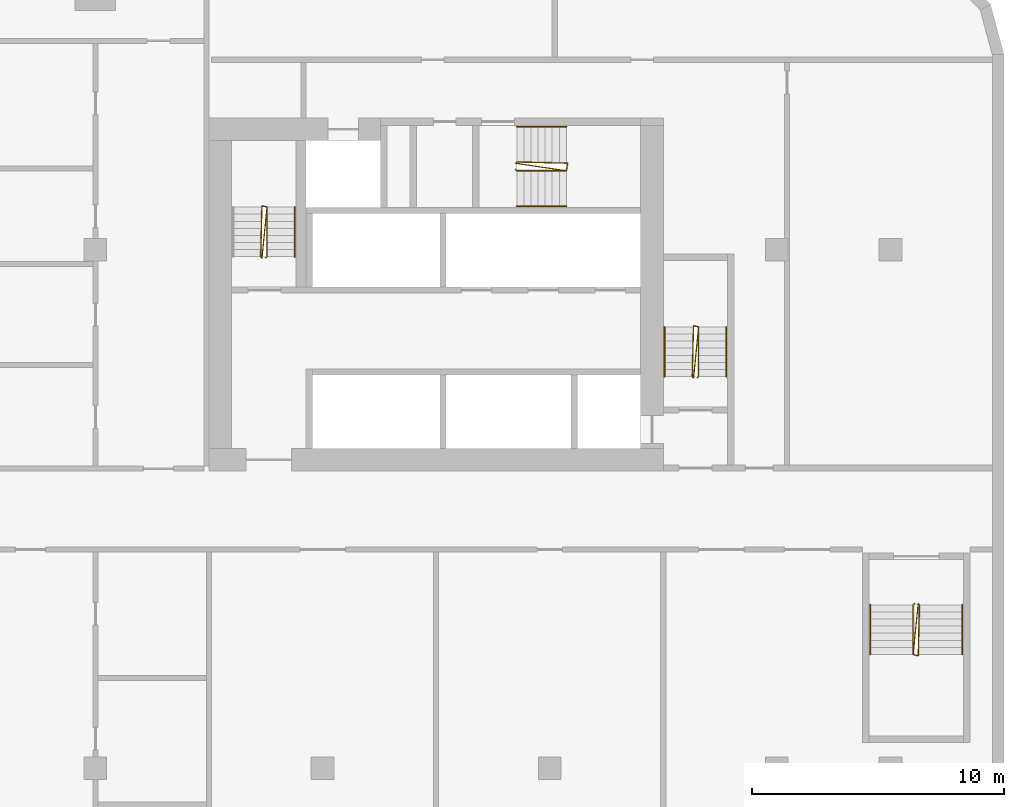
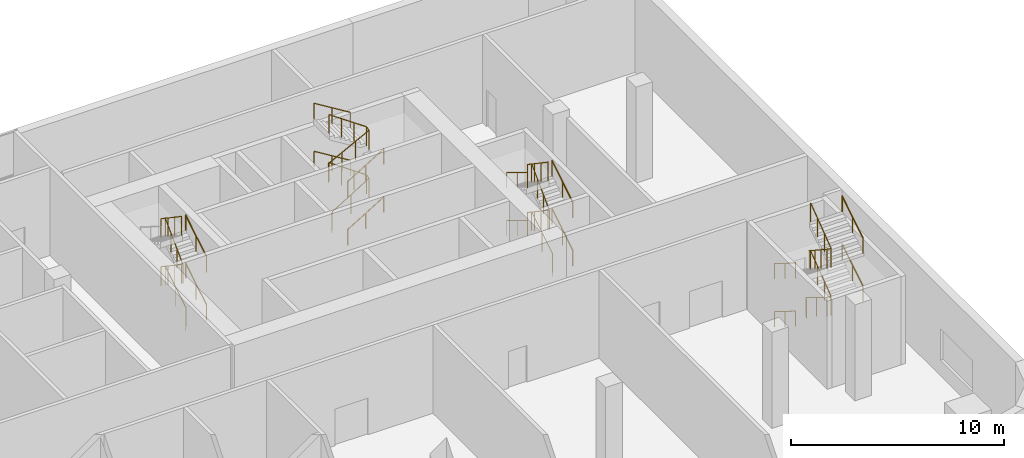
# One storey, part 21 of 21: 18 railings.
"""IFC4 building model written with IfcOpenShell, lengths in metres."""

from ifc_helpers import new_model, si_unit, direction, frame, origin, origin_2d, place, context, subcontext, project, spatial, circle, extrude, material, type_object, element, save


model = new_model("IFC4")

# Units and contexts
model_context = context("Model", 3, precision=1e-05, world=origin(), true_north=direction((0.0, 1.0)))
body_context = subcontext(model_context, "Body", "Model", "MODEL_VIEW")
ifc_project = project(units=[si_unit("LENGTHUNIT", "METRE"), si_unit("AREAUNIT", "SQUARE_METRE"), si_unit("VOLUMEUNIT", "CUBIC_METRE"), si_unit("PLANEANGLEUNIT", "RADIAN"), si_unit("MASSUNIT", "GRAM", prefix="KILO")], contexts=[model_context])

# Site, building, storey
site_placement = place(None, origin())
site = spatial("IfcSite", under=ifc_project, at=site_placement, CompositionType="ELEMENT")
building_placement = place(site_placement, origin())
building = spatial("IfcBuilding", under=site, at=building_placement, Name="Kajstack Hotel Tower", CompositionType="ELEMENT")
storey_placement = place(building_placement, frame((0.0, 0.0, 23.5)))
storey = spatial("IfcBuildingStorey", under=building, at=storey_placement, Name="L03", CompositionType="ELEMENT", Elevation=23.5)

# Railings
ifc_material = material(Name="Steel S355J2", Category="steel")
railing_type_1 = type_object("IfcRailingType", Name="Stair guard 1100", PredefinedType="GUARDRAIL", material=ifc_material)
railing_1_placement = place(storey_placement, frame((32.85009765625, 5.199951171875, 0.0)))
element("IfcRailing", 1, at=railing_1_placement, inside=storey, type_object=railing_type_1, Name="L03 E1 stair guard 1", PredefinedType="GUARDRAIL", context=body_context, shape_type="SweptSolid", body=[
    extrude(circle(Radius=0.02392578125, at=origin_2d()), frame((0.0, 0.0, 1.076171875), z_axis=(0.268036860282, 0.26935076646, 0.924989949209), x_axis=(-0.708833529934, 0.705375805398, 0.0)), (0.0, 0.0, 1.0), 0.185791015625),
    extrude(circle(Radius=0.02392578125, at=origin_2d()), frame((0.0498046875, 0.050048828125, 1.248046875), z_axis=(0.0, 0.852240978134, 0.523149419562), x_axis=(-1.0, 0.0, 0.0)), (0.0, 0.0, 1.0), 2.2998046875),
    extrude(circle(Radius=0.02392578125, at=origin_2d()), frame((0.0498046875, 2.010009765625, 2.451171875), z_axis=(-0.970072785993, 0.242814311512, 0.0), x_axis=(-0.242814311512, -0.970072785993, 0.0)), (0.0, 0.0, 1.0), 0.2060546875),
    extrude(circle(Radius=0.02392578125, at=origin_2d()), frame((-0.150146484375, 2.06005859375, 2.451171875), z_axis=(-0.0205469275, -0.825184654201, 0.564489247232), x_axis=(0.999690144217, -0.024892078169, 0.0)), (0.0, 0.0, 1.0), 2.435791015625),
    extrude(circle(Radius=0.02392578125, at=origin_2d()), frame((-0.2001953125, 0.050048828125, 3.826171875), z_axis=(0.707106781187, -0.707106781187, 0.0), x_axis=(0.707106781187, 0.707106781187, 0.0)), (0.0, 0.0, 1.0), 0.07080078125),
    extrude(circle(Radius=0.02392578125, at=origin_2d()), frame((-0.150146484375, 0.0, 3.826171875), z_axis=(0.081829463127, 0.822590927871, 0.562714940577), x_axis=(-0.995088514891, 0.098989128349, 0.0)), (0.0, 0.0, 1.0), 2.443603515625),
    extrude(circle(Radius=0.02392578125, at=origin_2d()), frame((0.0498046875, 2.010009765625, 5.201171875), z_axis=(-0.970072785993, 0.242814311512, 0.0), x_axis=(-0.242814311512, -0.970072785993, 0.0)), (0.0, 0.0, 1.0), 0.2060546875),
    extrude(circle(Radius=0.02392578125, at=origin_2d()), frame((-0.150146484375, 2.06005859375, 5.201171875), z_axis=(-0.0205469275, -0.825184654201, 0.564489247232), x_axis=(0.999690144217, -0.024892078169, 0.0)), (0.0, 0.0, 1.0), 2.435791015625),
    extrude(circle(Radius=0.02099609375, at=origin_2d()), origin(), (0.0, 0.0, 1.0), 1.052001953125),
    extrude(circle(Radius=0.02099609375, at=origin_2d()), frame((0.0498046875, 0.050048828125, 0.171875)), (0.0, 0.0, 1.0), 1.052001953125),
    extrude(circle(Radius=0.02099609375, at=origin_2d()), frame((0.0498046875, 1.030029296875, 0.7734375)), (0.0, 0.0, 1.0), 1.052001953125),
    extrude(circle(Radius=0.02099609375, at=origin_2d()), frame((0.0498046875, 2.010009765625, 1.375)), (0.0, 0.0, 1.0), 1.052001953125),
    extrude(circle(Radius=0.02099609375, at=origin_2d()), frame((-0.150146484375, 2.06005859375, 1.375)), (0.0, 0.0, 1.0), 1.052001953125),
    extrude(circle(Radius=0.02099609375, at=origin_2d()), frame((-0.166748046875, 1.39013671875, 1.833251953125)), (0.0, 0.0, 1.0), 1.052001953125),
    extrude(circle(Radius=0.02099609375, at=origin_2d()), frame((-0.18359375, 0.719970703125, 2.291748046875)), (0.0, 0.0, 1.0), 1.052001953125),
    extrude(circle(Radius=0.02099609375, at=origin_2d()), frame((-0.2001953125, 0.050048828125, 2.75)), (0.0, 0.0, 1.0), 1.052001953125),
    extrude(circle(Radius=0.02099609375, at=origin_2d()), frame((-0.150146484375, 0.0, 2.75)), (0.0, 0.0, 1.0), 1.052001953125),
    extrude(circle(Radius=0.02099609375, at=origin_2d()), frame((-0.08349609375, 0.669921875, 3.208251953125)), (0.0, 0.0, 1.0), 1.052001953125),
    extrude(circle(Radius=0.02099609375, at=origin_2d()), frame((-0.016845703125, 1.340087890625, 3.666748046875)), (0.0, 0.0, 1.0), 1.052001953125),
    extrude(circle(Radius=0.02099609375, at=origin_2d()), frame((0.0498046875, 2.010009765625, 4.125)), (0.0, 0.0, 1.0), 1.052001953125),
    extrude(circle(Radius=0.02099609375, at=origin_2d()), frame((-0.150146484375, 2.06005859375, 4.125)), (0.0, 0.0, 1.0), 1.052001953125),
    extrude(circle(Radius=0.02099609375, at=origin_2d()), frame((-0.166748046875, 1.39013671875, 4.583251953125)), (0.0, 0.0, 1.0), 1.052001953125),
    extrude(circle(Radius=0.02099609375, at=origin_2d()), frame((-0.18359375, 0.719970703125, 5.041748046875)), (0.0, 0.0, 1.0), 1.052001953125),
    extrude(circle(Radius=0.02099609375, at=origin_2d()), frame((-0.2001953125, 0.050048828125, 5.5)), (0.0, 0.0, 1.0), 1.052001953125),
])
railing_2_placement = place(storey_placement, frame((15.75, 9.949951171875, 0.0)))
element("IfcRailing", 2, at=railing_2_placement, inside=storey, type_object=railing_type_1, Name="L03 E2 stair guard 1", PredefinedType="GUARDRAIL", context=body_context, shape_type="SweptSolid", body=[
    extrude(circle(Radius=0.02392578125, at=origin_2d()), frame((0.0, 0.0, 1.076171875), z_axis=(0.269255725606, 0.269255725606, 0.92466356501), x_axis=(-0.707106781187, 0.707106781187, 0.0)), (0.0, 0.0, 1.0), 0.185791015625),
    extrude(circle(Radius=0.02392578125, at=origin_2d()), frame((0.050048828125, 0.050048828125, 1.248046875), z_axis=(0.0, 0.852240978134, 0.523149419562), x_axis=(-1.0, 0.0, 0.0)), (0.0, 0.0, 1.0), 2.2998046875),
    extrude(circle(Radius=0.02392578125, at=origin_2d()), frame((0.050048828125, 2.010009765625, 2.451171875), z_axis=(-0.970072785993, 0.242814311512, 0.0), x_axis=(-0.242814311512, -0.970072785993, 0.0)), (0.0, 0.0, 1.0), 0.2060546875),
    extrude(circle(Radius=0.02392578125, at=origin_2d()), frame((-0.14990234375, 2.06005859375, 2.451171875), z_axis=(-0.0205469275, -0.825184654201, 0.564489247232), x_axis=(0.999690144217, -0.024892078169, 0.0)), (0.0, 0.0, 1.0), 2.435791015625),
    extrude(circle(Radius=0.02392578125, at=origin_2d()), frame((-0.199951171875, 0.050048828125, 3.826171875), z_axis=(0.707106781187, -0.707106781187, 0.0), x_axis=(0.707106781187, 0.707106781187, 0.0)), (0.0, 0.0, 1.0), 0.07080078125),
    extrude(circle(Radius=0.02392578125, at=origin_2d()), frame((-0.14990234375, 0.0, 3.826171875), z_axis=(0.081829463127, 0.822590927871, 0.562714940577), x_axis=(-0.995088514891, 0.098989128349, 0.0)), (0.0, 0.0, 1.0), 2.443603515625),
    extrude(circle(Radius=0.02392578125, at=origin_2d()), frame((0.050048828125, 2.010009765625, 5.201171875), z_axis=(-0.970072785993, 0.242814311512, 0.0), x_axis=(-0.242814311512, -0.970072785993, 0.0)), (0.0, 0.0, 1.0), 0.2060546875),
    extrude(circle(Radius=0.02392578125, at=origin_2d()), frame((-0.14990234375, 2.06005859375, 5.201171875), z_axis=(-0.0205469275, -0.825184654201, 0.564489247232), x_axis=(0.999690144217, -0.024892078169, 0.0)), (0.0, 0.0, 1.0), 2.435791015625),
    extrude(circle(Radius=0.02099609375, at=origin_2d()), origin(), (0.0, 0.0, 1.0), 1.052001953125),
    extrude(circle(Radius=0.02099609375, at=origin_2d()), frame((0.050048828125, 0.050048828125, 0.171875)), (0.0, 0.0, 1.0), 1.052001953125),
    extrude(circle(Radius=0.02099609375, at=origin_2d()), frame((0.050048828125, 1.030029296875, 0.7734375)), (0.0, 0.0, 1.0), 1.052001953125),
    extrude(circle(Radius=0.02099609375, at=origin_2d()), frame((0.050048828125, 2.010009765625, 1.375)), (0.0, 0.0, 1.0), 1.052001953125),
    extrude(circle(Radius=0.02099609375, at=origin_2d()), frame((-0.14990234375, 2.06005859375, 1.375)), (0.0, 0.0, 1.0), 1.052001953125),
    extrude(circle(Radius=0.02099609375, at=origin_2d()), frame((-0.16650390625, 1.39013671875, 1.833251953125)), (0.0, 0.0, 1.0), 1.052001953125),
    extrude(circle(Radius=0.02099609375, at=origin_2d()), frame((-0.183349609375, 0.719970703125, 2.291748046875)), (0.0, 0.0, 1.0), 1.052001953125),
    extrude(circle(Radius=0.02099609375, at=origin_2d()), frame((-0.199951171875, 0.050048828125, 2.75)), (0.0, 0.0, 1.0), 1.052001953125),
    extrude(circle(Radius=0.02099609375, at=origin_2d()), frame((-0.14990234375, 0.0, 2.75)), (0.0, 0.0, 1.0), 1.052001953125),
    extrude(circle(Radius=0.02099609375, at=origin_2d()), frame((-0.083251953125, 0.669921875, 3.208251953125)), (0.0, 0.0, 1.0), 1.052001953125),
    extrude(circle(Radius=0.02099609375, at=origin_2d()), frame((-0.0166015625, 1.340087890625, 3.666748046875)), (0.0, 0.0, 1.0), 1.052001953125),
    extrude(circle(Radius=0.02099609375, at=origin_2d()), frame((0.050048828125, 2.010009765625, 4.125)), (0.0, 0.0, 1.0), 1.052001953125),
    extrude(circle(Radius=0.02099609375, at=origin_2d()), frame((-0.14990234375, 2.06005859375, 4.125)), (0.0, 0.0, 1.0), 1.052001953125),
    extrude(circle(Radius=0.02099609375, at=origin_2d()), frame((-0.16650390625, 1.39013671875, 4.583251953125)), (0.0, 0.0, 1.0), 1.052001953125),
    extrude(circle(Radius=0.02099609375, at=origin_2d()), frame((-0.183349609375, 0.719970703125, 5.041748046875)), (0.0, 0.0, 1.0), 1.052001953125),
    extrude(circle(Radius=0.02099609375, at=origin_2d()), frame((-0.199951171875, 0.050048828125, 5.5)), (0.0, 0.0, 1.0), 1.052001953125),
])
railing_3_placement = place(storey_placement, frame((25.64990234375, 13.449951171875, 0.0)))
element("IfcRailing", 3, at=railing_3_placement, inside=storey, type_object=railing_type_1, Name="L03 E3 stair guard 1", PredefinedType="GUARDRAIL", context=body_context, shape_type="SweptSolid", body=[
    extrude(circle(Radius=0.02392578125, at=origin_2d()), frame((0.0, 0.0, 1.076171875), z_axis=(0.269255725606, -0.269255725606, 0.92466356501), x_axis=(0.707106781187, 0.707106781187, 0.0)), (0.0, 0.0, 1.0), 0.185791015625),
    extrude(circle(Radius=0.02392578125, at=origin_2d()), frame((0.050048828125, -0.050048828125, 1.248046875), z_axis=(0.852240978134, 0.0, 0.523149419562), x_axis=(0.0, 1.0, 0.0)), (0.0, 0.0, 1.0), 2.2998046875),
    extrude(circle(Radius=0.02392578125, at=origin_2d()), frame((2.010009765625, -0.050048828125, 2.451171875), z_axis=(0.164529134168, 0.986372223864, 0.0), x_axis=(-0.986372223864, 0.164529134168, 0.0)), (0.0, 0.0, 1.0), 0.30419921875),
    extrude(circle(Radius=0.02392578125, at=origin_2d()), frame((2.06005859375, 0.25, 2.451171875), z_axis=(-0.825184654201, 0.0205469275, 0.564489247232), x_axis=(-0.024892078169, -0.999690144217, 0.0)), (0.0, 0.0, 1.0), 2.435791015625),
    extrude(circle(Radius=0.02392578125, at=origin_2d()), frame((0.050048828125, 0.300048828125, 3.826171875), z_axis=(-0.707106781187, -0.707106781187, 0.0), x_axis=(0.707106781187, -0.707106781187, 0.0)), (0.0, 0.0, 1.0), 0.07080078125),
    extrude(circle(Radius=0.02392578125, at=origin_2d()), frame((0.0, 0.25, 3.826171875), z_axis=(0.819164832413, -0.122282713353, 0.560371229947), x_axis=(0.147641363338, 0.989040963677, 0.0)), (0.0, 0.0, 1.0), 2.45361328125),
    extrude(circle(Radius=0.02392578125, at=origin_2d()), frame((2.010009765625, -0.050048828125, 5.201171875), z_axis=(0.164529134168, 0.986372223864, 0.0), x_axis=(-0.986372223864, 0.164529134168, 0.0)), (0.0, 0.0, 1.0), 0.30419921875),
    extrude(circle(Radius=0.02392578125, at=origin_2d()), frame((2.06005859375, 0.25, 5.201171875), z_axis=(-0.825184654201, 0.0205469275, 0.564489247232), x_axis=(-0.024892078169, -0.999690144217, 0.0)), (0.0, 0.0, 1.0), 2.435791015625),
    extrude(circle(Radius=0.02099609375, at=origin_2d()), origin(), (0.0, 0.0, 1.0), 1.052001953125),
    extrude(circle(Radius=0.02099609375, at=origin_2d()), frame((0.050048828125, -0.050048828125, 0.171875)), (0.0, 0.0, 1.0), 1.052001953125),
    extrude(circle(Radius=0.02099609375, at=origin_2d()), frame((1.030029296875, -0.050048828125, 0.7734375)), (0.0, 0.0, 1.0), 1.052001953125),
    extrude(circle(Radius=0.02099609375, at=origin_2d()), frame((2.010009765625, -0.050048828125, 1.375)), (0.0, 0.0, 1.0), 1.052001953125),
    extrude(circle(Radius=0.02099609375, at=origin_2d()), frame((2.06005859375, 0.25, 1.375)), (0.0, 0.0, 1.0), 1.052001953125),
    extrude(circle(Radius=0.02099609375, at=origin_2d()), frame((1.39013671875, 0.2666015625, 1.833251953125)), (0.0, 0.0, 1.0), 1.052001953125),
    extrude(circle(Radius=0.02099609375, at=origin_2d()), frame((0.719970703125, 0.283447265625, 2.291748046875)), (0.0, 0.0, 1.0), 1.052001953125),
    extrude(circle(Radius=0.02099609375, at=origin_2d()), frame((0.050048828125, 0.300048828125, 2.75)), (0.0, 0.0, 1.0), 1.052001953125),
    extrude(circle(Radius=0.02099609375, at=origin_2d()), frame((0.0, 0.25, 2.75)), (0.0, 0.0, 1.0), 1.052001953125),
    extrude(circle(Radius=0.02099609375, at=origin_2d()), frame((0.669921875, 0.14990234375, 3.208251953125)), (0.0, 0.0, 1.0), 1.052001953125),
    extrude(circle(Radius=0.02099609375, at=origin_2d()), frame((1.340087890625, 0.050048828125, 3.666748046875)), (0.0, 0.0, 1.0), 1.052001953125),
    extrude(circle(Radius=0.02099609375, at=origin_2d()), frame((2.010009765625, -0.050048828125, 4.125)), (0.0, 0.0, 1.0), 1.052001953125),
    extrude(circle(Radius=0.02099609375, at=origin_2d()), frame((2.06005859375, 0.25, 4.125)), (0.0, 0.0, 1.0), 1.052001953125),
    extrude(circle(Radius=0.02099609375, at=origin_2d()), frame((1.39013671875, 0.2666015625, 4.583251953125)), (0.0, 0.0, 1.0), 1.052001953125),
    extrude(circle(Radius=0.02099609375, at=origin_2d()), frame((0.719970703125, 0.283447265625, 5.041748046875)), (0.0, 0.0, 1.0), 1.052001953125),
    extrude(circle(Radius=0.02099609375, at=origin_2d()), frame((0.050048828125, 0.300048828125, 5.5)), (0.0, 0.0, 1.0), 1.052001953125),
])
railing_4_placement = place(storey_placement, frame((41.449951171875, -3.75, 0.0)))
element("IfcRailing", 4, at=railing_4_placement, inside=storey, type_object=railing_type_1, Name="L03 P2 stair guard 1", PredefinedType="GUARDRAIL", context=body_context, shape_type="SweptSolid", body=[
    extrude(circle(Radius=0.02392578125, at=origin_2d()), frame((0.0, 0.0, 1.076171875), z_axis=(-0.269255725606, -0.269255725606, 0.92466356501), x_axis=(0.707106781187, -0.707106781187, 0.0)), (0.0, 0.0, 1.0), 0.185791015625),
    extrude(circle(Radius=0.02392578125, at=origin_2d()), frame((-0.050048828125, -0.050048828125, 1.248046875), z_axis=(0.0, -0.852240978134, 0.523149419562), x_axis=(1.0, 0.0, 0.0)), (0.0, 0.0, 1.0), 2.2998046875),
    extrude(circle(Radius=0.02392578125, at=origin_2d()), frame((-0.050048828125, -2.010009765625, 2.451171875), z_axis=(0.970142500145, -0.242535625036, 0.0), x_axis=(0.242535625036, 0.970142500145, 0.0)), (0.0, 0.0, 1.0), 0.206298828125),
    extrude(circle(Radius=0.02392578125, at=origin_2d()), frame((0.150146484375, -2.06005859375, 2.451171875), z_axis=(0.020446740591, 0.825186349444, 0.564490406907), x_axis=(-0.999693158439, 0.024770728085, 0.0)), (0.0, 0.0, 1.0), 2.435791015625),
    extrude(circle(Radius=0.02392578125, at=origin_2d()), frame((0.199951171875, -0.050048828125, 3.826171875), z_axis=(-0.705375805398, 0.708833529934, 0.0), x_axis=(-0.708833529934, -0.705375805398, 0.0)), (0.0, 0.0, 1.0), 0.070556640625),
    extrude(circle(Radius=0.02392578125, at=origin_2d()), frame((0.150146484375, 0.0, 3.826171875), z_axis=(-0.081928706755, -0.822584198428, 0.562710337124), x_axis=(0.995076602195, -0.099108807701, 0.0)), (0.0, 0.0, 1.0), 2.443603515625),
    extrude(circle(Radius=0.02392578125, at=origin_2d()), frame((-0.050048828125, -2.010009765625, 5.201171875), z_axis=(0.970142500145, -0.242535625036, 0.0), x_axis=(0.242535625036, 0.970142500145, 0.0)), (0.0, 0.0, 1.0), 0.206298828125),
    extrude(circle(Radius=0.02392578125, at=origin_2d()), frame((0.150146484375, -2.06005859375, 5.201171875), z_axis=(0.020446740591, 0.825186349444, 0.564490406907), x_axis=(-0.999693158439, 0.024770728085, 0.0)), (0.0, 0.0, 1.0), 2.435791015625),
    extrude(circle(Radius=0.02099609375, at=origin_2d()), origin(), (0.0, 0.0, 1.0), 1.052001953125),
    extrude(circle(Radius=0.02099609375, at=origin_2d()), frame((-0.050048828125, -0.050048828125, 0.171875)), (0.0, 0.0, 1.0), 1.052001953125),
    extrude(circle(Radius=0.02099609375, at=origin_2d()), frame((-0.050048828125, -1.030029296875, 0.7734375)), (0.0, 0.0, 1.0), 1.052001953125),
    extrude(circle(Radius=0.02099609375, at=origin_2d()), frame((-0.050048828125, -2.010009765625, 1.375)), (0.0, 0.0, 1.0), 1.052001953125),
    extrude(circle(Radius=0.02099609375, at=origin_2d()), frame((0.150146484375, -2.06005859375, 1.375)), (0.0, 0.0, 1.0), 1.052001953125),
    extrude(circle(Radius=0.02099609375, at=origin_2d()), frame((0.166748046875, -1.39013671875, 1.833251953125)), (0.0, 0.0, 1.0), 1.052001953125),
    extrude(circle(Radius=0.02099609375, at=origin_2d()), frame((0.183349609375, -0.719970703125, 2.291748046875)), (0.0, 0.0, 1.0), 1.052001953125),
    extrude(circle(Radius=0.02099609375, at=origin_2d()), frame((0.199951171875, -0.050048828125, 2.75)), (0.0, 0.0, 1.0), 1.052001953125),
    extrude(circle(Radius=0.02099609375, at=origin_2d()), frame((0.150146484375, 0.0, 2.75)), (0.0, 0.0, 1.0), 1.052001953125),
    extrude(circle(Radius=0.02099609375, at=origin_2d()), frame((0.08349609375, -0.669921875, 3.208251953125)), (0.0, 0.0, 1.0), 1.052001953125),
    extrude(circle(Radius=0.02099609375, at=origin_2d()), frame((0.0166015625, -1.340087890625, 3.666748046875)), (0.0, 0.0, 1.0), 1.052001953125),
    extrude(circle(Radius=0.02099609375, at=origin_2d()), frame((-0.050048828125, -2.010009765625, 4.125)), (0.0, 0.0, 1.0), 1.052001953125),
    extrude(circle(Radius=0.02099609375, at=origin_2d()), frame((0.150146484375, -2.06005859375, 4.125)), (0.0, 0.0, 1.0), 1.052001953125),
    extrude(circle(Radius=0.02099609375, at=origin_2d()), frame((0.166748046875, -1.39013671875, 4.583251953125)), (0.0, 0.0, 1.0), 1.052001953125),
    extrude(circle(Radius=0.02099609375, at=origin_2d()), frame((0.183349609375, -0.719970703125, 5.041748046875)), (0.0, 0.0, 1.0), 1.052001953125),
    extrude(circle(Radius=0.02099609375, at=origin_2d()), frame((0.199951171875, -0.050048828125, 5.5)), (0.0, 0.0, 1.0), 1.052001953125),
])
railing_type_2 = type_object("IfcRailingType", Name="Stair handrail 900", PredefinedType="HANDRAIL", material=ifc_material)
railing_5_placement = place(storey_placement, frame((34.0, 5.25, 0.171875)))
element("IfcRailing", 5, at=railing_5_placement, inside=storey, type_object=railing_type_2, Name="L03 E1 stair handrail 1", PredefinedType="HANDRAIL", context=body_context, shape_type="SweptSolid", body=[
    extrude(circle(Radius=0.02392578125, at=origin_2d()), frame((0.0, 0.0, 0.8759765625), z_axis=(0.0, 0.852240978134, 0.523149419562), x_axis=(-1.0, 0.0, 0.0)), (0.0, 0.0, 1.0), 2.2998046875),
    extrude(circle(Radius=0.02099609375, at=origin_2d()), origin(), (0.0, 0.0, 1.0), 0.851806640625),
    extrude(circle(Radius=0.02099609375, at=origin_2d()), frame((0.0, 0.97998046875, 0.6015625)), (0.0, 0.0, 1.0), 0.851806640625),
    extrude(circle(Radius=0.02099609375, at=origin_2d()), frame((0.0, 1.9599609375, 1.203125)), (0.0, 0.0, 1.0), 0.851806640625),
])
railing_6_placement = place(storey_placement, frame((31.550048828125, 7.2099609375, 1.546875)))
element("IfcRailing", 6, at=railing_6_placement, inside=storey, type_object=railing_type_2, Name="L03 E1 stair handrail 2", PredefinedType="HANDRAIL", context=body_context, shape_type="SweptSolid", body=[
    extrude(circle(Radius=0.02392578125, at=origin_2d()), frame((0.0, 0.0, 0.8759765625), z_axis=(0.0, -0.852240978134, 0.523149419562), x_axis=(1.0, 0.0, 0.0)), (0.0, 0.0, 1.0), 2.2998046875),
    extrude(circle(Radius=0.02099609375, at=origin_2d()), origin(), (0.0, 0.0, 1.0), 0.851806640625),
    extrude(circle(Radius=0.02099609375, at=origin_2d()), frame((0.0, -0.97998046875, 0.6015625)), (0.0, 0.0, 1.0), 0.851806640625),
    extrude(circle(Radius=0.02099609375, at=origin_2d()), frame((0.0, -1.9599609375, 1.203125)), (0.0, 0.0, 1.0), 0.851806640625),
])
railing_7_placement = place(storey_placement, frame((34.0, 5.25, 2.921875)))
element("IfcRailing", 7, at=railing_7_placement, inside=storey, type_object=railing_type_2, Name="L03 E1 stair handrail 3", PredefinedType="HANDRAIL", context=body_context, shape_type="SweptSolid", body=[
    extrude(circle(Radius=0.02392578125, at=origin_2d()), frame((0.0, 0.0, 0.8759765625), z_axis=(0.0, 0.852240978134, 0.523149419562), x_axis=(-1.0, 0.0, 0.0)), (0.0, 0.0, 1.0), 2.2998046875),
    extrude(circle(Radius=0.02099609375, at=origin_2d()), origin(), (0.0, 0.0, 1.0), 0.851806640625),
    extrude(circle(Radius=0.02099609375, at=origin_2d()), frame((0.0, 0.97998046875, 0.6015625)), (0.0, 0.0, 1.0), 0.851806640625),
    extrude(circle(Radius=0.02099609375, at=origin_2d()), frame((0.0, 1.9599609375, 1.203125)), (0.0, 0.0, 1.0), 0.851806640625),
])
railing_8_placement = place(storey_placement, frame((31.550048828125, 7.2099609375, 4.296875)))
element("IfcRailing", 8, at=railing_8_placement, inside=storey, type_object=railing_type_2, Name="L03 E1 stair handrail 4", PredefinedType="HANDRAIL", context=body_context, shape_type="SweptSolid", body=[
    extrude(circle(Radius=0.02392578125, at=origin_2d()), frame((0.0, 0.0, 0.8759765625), z_axis=(0.0, -0.852240978134, 0.523149419562), x_axis=(1.0, 0.0, 0.0)), (0.0, 0.0, 1.0), 2.2998046875),
    extrude(circle(Radius=0.02099609375, at=origin_2d()), origin(), (0.0, 0.0, 1.0), 0.851806640625),
    extrude(circle(Radius=0.02099609375, at=origin_2d()), frame((0.0, -0.97998046875, 0.6015625)), (0.0, 0.0, 1.0), 0.851806640625),
    extrude(circle(Radius=0.02099609375, at=origin_2d()), frame((0.0, -1.9599609375, 1.203125)), (0.0, 0.0, 1.0), 0.851806640625),
])
for number, where, name in (
    (9, (16.89990234375, 10.0, 0.171875), "L03 E2 stair handrail 1"),
    (10, (16.89990234375, 10.0, 2.921875), "L03 E2 stair handrail 3"),
):
    element("IfcRailing", number, at=place(storey_placement, frame(where)), inside=storey, type_object=railing_type_2, Name=name, PredefinedType="HANDRAIL", context=body_context, shape_type="SweptSolid", body=[
        extrude(circle(Radius=0.02392578125, at=origin_2d()), frame((0.0, 0.0, 0.8759765625), z_axis=(0.0, 0.852240978134, 0.523149419562), x_axis=(-1.0, 0.0, 0.0)), (0.0, 0.0, 1.0), 2.2998046875),
        extrude(circle(Radius=0.02099609375, at=origin_2d()), origin(), (0.0, 0.0, 1.0), 0.851806640625),
        extrude(circle(Radius=0.02099609375, at=origin_2d()), frame((0.0, 0.97998046875, 0.6015625)), (0.0, 0.0, 1.0), 0.851806640625),
        extrude(circle(Radius=0.02099609375, at=origin_2d()), frame((0.0, 1.9599609375, 1.203125)), (0.0, 0.0, 1.0), 0.851806640625),
    ])
railing_9_placement = place(storey_placement, frame((25.699951171875, 12.0, 0.171875)))
element("IfcRailing", 11, at=railing_9_placement, inside=storey, type_object=railing_type_2, Name="L03 E3 stair handrail 1", PredefinedType="HANDRAIL", context=body_context, shape_type="SweptSolid", body=[
    extrude(circle(Radius=0.02392578125, at=origin_2d()), frame((0.0, 0.0, 0.8759765625), z_axis=(0.852240978134, 0.0, 0.523149419562), x_axis=(0.0, 1.0, 0.0)), (0.0, 0.0, 1.0), 2.2998046875),
    extrude(circle(Radius=0.02099609375, at=origin_2d()), origin(), (0.0, 0.0, 1.0), 0.851806640625),
    extrude(circle(Radius=0.02099609375, at=origin_2d()), frame((0.97998046875, 0.0, 0.6015625)), (0.0, 0.0, 1.0), 0.851806640625),
    extrude(circle(Radius=0.02099609375, at=origin_2d()), frame((1.9599609375, 0.0, 1.203125)), (0.0, 0.0, 1.0), 0.851806640625),
])
railing_10_placement = place(storey_placement, frame((27.659912109375, 15.14990234375, 1.546875)))
element("IfcRailing", 12, at=railing_10_placement, inside=storey, type_object=railing_type_2, Name="L03 E3 stair handrail 2", PredefinedType="HANDRAIL", context=body_context, shape_type="SweptSolid", body=[
    extrude(circle(Radius=0.02392578125, at=origin_2d()), frame((0.0, 0.0, 0.8759765625), z_axis=(-0.852240978134, 0.0, 0.523149419562), x_axis=(0.0, -1.0, 0.0)), (0.0, 0.0, 1.0), 2.2998046875),
    extrude(circle(Radius=0.02099609375, at=origin_2d()), origin(), (0.0, 0.0, 1.0), 0.851806640625),
    extrude(circle(Radius=0.02099609375, at=origin_2d()), frame((-0.97998046875, 0.0, 0.6015625)), (0.0, 0.0, 1.0), 0.851806640625),
    extrude(circle(Radius=0.02099609375, at=origin_2d()), frame((-1.9599609375, 0.0, 1.203125)), (0.0, 0.0, 1.0), 0.851806640625),
])
railing_11_placement = place(storey_placement, frame((25.699951171875, 12.0, 2.921875)))
element("IfcRailing", 13, at=railing_11_placement, inside=storey, type_object=railing_type_2, Name="L03 E3 stair handrail 3", PredefinedType="HANDRAIL", context=body_context, shape_type="SweptSolid", body=[
    extrude(circle(Radius=0.02392578125, at=origin_2d()), frame((0.0, 0.0, 0.8759765625), z_axis=(0.852240978134, 0.0, 0.523149419562), x_axis=(0.0, 1.0, 0.0)), (0.0, 0.0, 1.0), 2.2998046875),
    extrude(circle(Radius=0.02099609375, at=origin_2d()), origin(), (0.0, 0.0, 1.0), 0.851806640625),
    extrude(circle(Radius=0.02099609375, at=origin_2d()), frame((0.97998046875, 0.0, 0.6015625)), (0.0, 0.0, 1.0), 0.851806640625),
    extrude(circle(Radius=0.02099609375, at=origin_2d()), frame((1.9599609375, 0.0, 1.203125)), (0.0, 0.0, 1.0), 0.851806640625),
])
railing_12_placement = place(storey_placement, frame((27.659912109375, 15.14990234375, 4.296875)))
element("IfcRailing", 14, at=railing_12_placement, inside=storey, type_object=railing_type_2, Name="L03 E3 stair handrail 4", PredefinedType="HANDRAIL", context=body_context, shape_type="SweptSolid", body=[
    extrude(circle(Radius=0.02392578125, at=origin_2d()), frame((0.0, 0.0, 0.8759765625), z_axis=(-0.852240978134, 0.0, 0.523149419562), x_axis=(0.0, -1.0, 0.0)), (0.0, 0.0, 1.0), 2.2998046875),
    extrude(circle(Radius=0.02099609375, at=origin_2d()), origin(), (0.0, 0.0, 1.0), 0.851806640625),
    extrude(circle(Radius=0.02099609375, at=origin_2d()), frame((-0.97998046875, 0.0, 0.6015625)), (0.0, 0.0, 1.0), 0.851806640625),
    extrude(circle(Radius=0.02099609375, at=origin_2d()), frame((-1.9599609375, 0.0, 1.203125)), (0.0, 0.0, 1.0), 0.851806640625),
])
railing_13_placement = place(storey_placement, frame((39.699951171875, -3.800048828125, 0.171875)))
element("IfcRailing", 15, at=railing_13_placement, inside=storey, type_object=railing_type_2, Name="L03 P2 stair handrail 1", PredefinedType="HANDRAIL", context=body_context, shape_type="SweptSolid", body=[
    extrude(circle(Radius=0.02392578125, at=origin_2d()), frame((0.0, 0.0, 0.8759765625), z_axis=(0.0, -0.852240978134, 0.523149419562), x_axis=(1.0, 0.0, 0.0)), (0.0, 0.0, 1.0), 2.2998046875),
    extrude(circle(Radius=0.02099609375, at=origin_2d()), origin(), (0.0, 0.0, 1.0), 0.851806640625),
    extrude(circle(Radius=0.02099609375, at=origin_2d()), frame((0.0, -0.97998046875, 0.6015625)), (0.0, 0.0, 1.0), 0.851806640625),
    extrude(circle(Radius=0.02099609375, at=origin_2d()), frame((0.0, -1.9599609375, 1.203125)), (0.0, 0.0, 1.0), 0.851806640625),
])
railing_14_placement = place(storey_placement, frame((43.35009765625, -5.760009765625, 1.546875)))
element("IfcRailing", 16, at=railing_14_placement, inside=storey, type_object=railing_type_2, Name="L03 P2 stair handrail 2", PredefinedType="HANDRAIL", context=body_context, shape_type="SweptSolid", body=[
    extrude(circle(Radius=0.02392578125, at=origin_2d()), frame((0.0, 0.0, 0.8759765625), z_axis=(0.0, 0.852240978134, 0.523149419562), x_axis=(-1.0, 0.0, 0.0)), (0.0, 0.0, 1.0), 2.2998046875),
    extrude(circle(Radius=0.02099609375, at=origin_2d()), origin(), (0.0, 0.0, 1.0), 0.851806640625),
    extrude(circle(Radius=0.02099609375, at=origin_2d()), frame((0.0, 0.97998046875, 0.6015625)), (0.0, 0.0, 1.0), 0.851806640625),
    extrude(circle(Radius=0.02099609375, at=origin_2d()), frame((0.0, 1.9599609375, 1.203125)), (0.0, 0.0, 1.0), 0.851806640625),
])
railing_15_placement = place(storey_placement, frame((39.699951171875, -3.800048828125, 2.921875)))
element("IfcRailing", 17, at=railing_15_placement, inside=storey, type_object=railing_type_2, Name="L03 P2 stair handrail 3", PredefinedType="HANDRAIL", context=body_context, shape_type="SweptSolid", body=[
    extrude(circle(Radius=0.02392578125, at=origin_2d()), frame((0.0, 0.0, 0.8759765625), z_axis=(0.0, -0.852240978134, 0.523149419562), x_axis=(1.0, 0.0, 0.0)), (0.0, 0.0, 1.0), 2.2998046875),
    extrude(circle(Radius=0.02099609375, at=origin_2d()), origin(), (0.0, 0.0, 1.0), 0.851806640625),
    extrude(circle(Radius=0.02099609375, at=origin_2d()), frame((0.0, -0.97998046875, 0.6015625)), (0.0, 0.0, 1.0), 0.851806640625),
    extrude(circle(Radius=0.02099609375, at=origin_2d()), frame((0.0, -1.9599609375, 1.203125)), (0.0, 0.0, 1.0), 0.851806640625),
])
railing_16_placement = place(storey_placement, frame((43.35009765625, -5.760009765625, 4.296875)))
element("IfcRailing", 18, at=railing_16_placement, inside=storey, type_object=railing_type_2, Name="L03 P2 stair handrail 4", PredefinedType="HANDRAIL", context=body_context, shape_type="SweptSolid", body=[
    extrude(circle(Radius=0.02392578125, at=origin_2d()), frame((0.0, 0.0, 0.8759765625), z_axis=(0.0, 0.852240978134, 0.523149419562), x_axis=(-1.0, 0.0, 0.0)), (0.0, 0.0, 1.0), 2.2998046875),
    extrude(circle(Radius=0.02099609375, at=origin_2d()), origin(), (0.0, 0.0, 1.0), 0.851806640625),
    extrude(circle(Radius=0.02099609375, at=origin_2d()), frame((0.0, 0.97998046875, 0.6015625)), (0.0, 0.0, 1.0), 0.851806640625),
    extrude(circle(Radius=0.02099609375, at=origin_2d()), frame((0.0, 1.9599609375, 1.203125)), (0.0, 0.0, 1.0), 0.851806640625),
])

save(model, "model.ifc")
